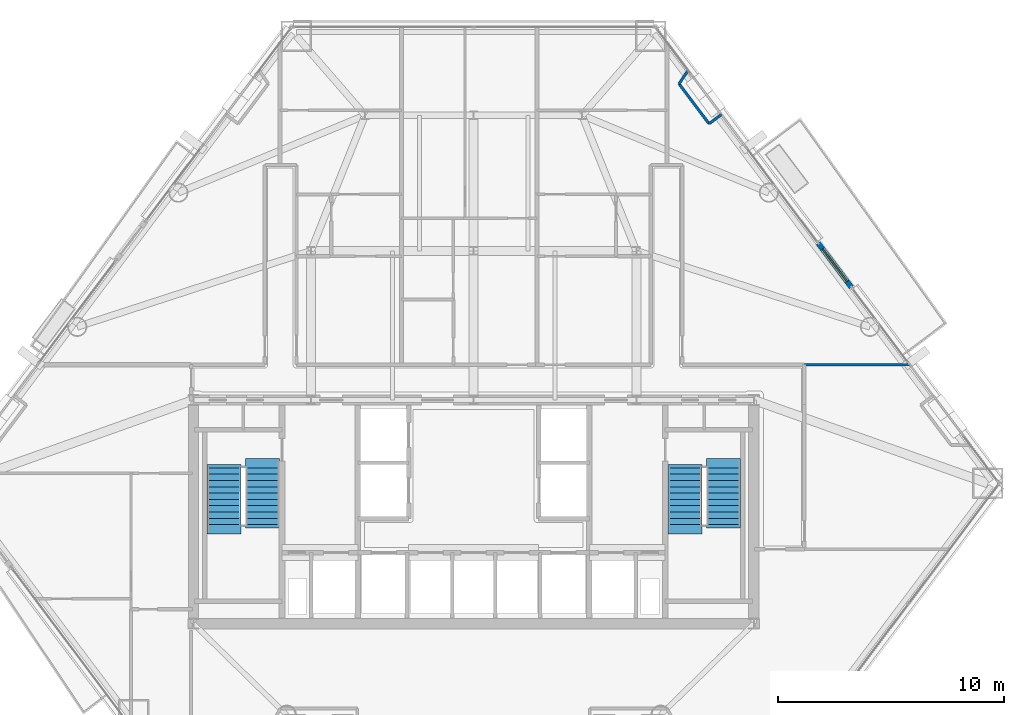
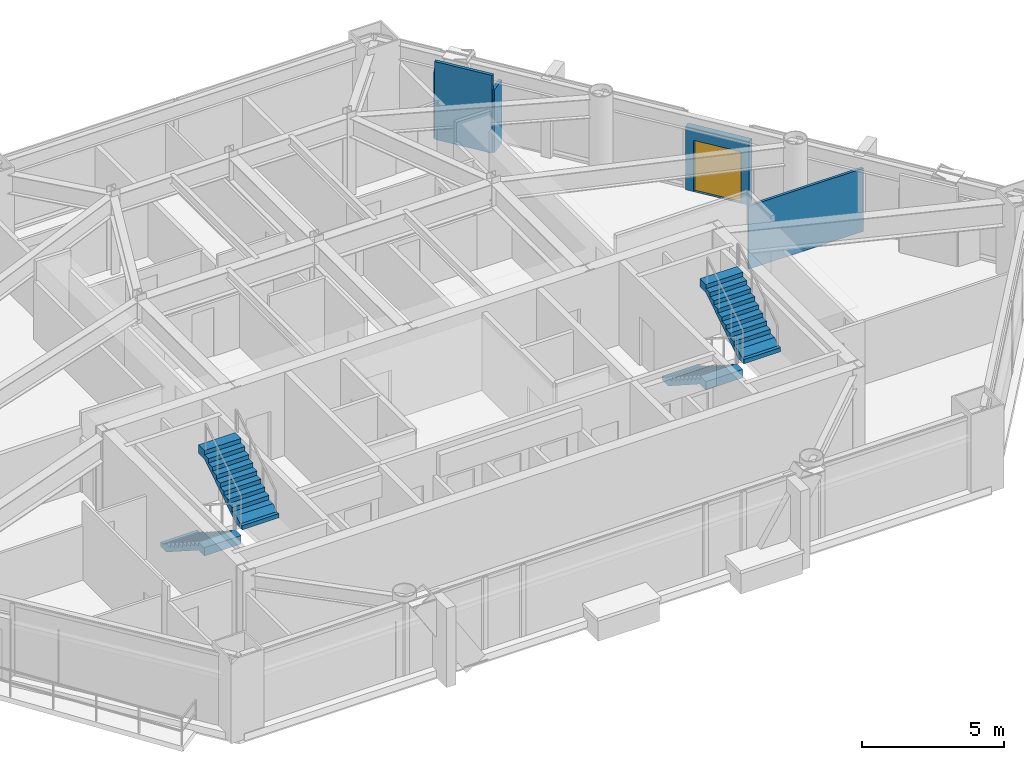
# One storey, part 9 of 11: 5 walls, 4 stair flights, 1 door, 1 opening, 2 elements without a shape of their own.
"""IFC4 building model written with IfcOpenShell, lengths in metres."""

from ifc_helpers import new_model, si_unit, direction, frame, frame_2d, origin, place, context, subcontext, project, spatial, polyline, rectangle, outline, extrude, material, layer, layer_set, type_object, element, fill, aggregate, save


model = new_model("IFC4")

# Units and contexts
model_context = context("Model", 3, precision=1e-05, world=origin(), true_north=direction((0.0, 1.0)))
body_context = subcontext(model_context, "Body", "Model", "MODEL_VIEW")
ifc_project = project(units=[si_unit("LENGTHUNIT", "METRE"), si_unit("AREAUNIT", "SQUARE_METRE"), si_unit("VOLUMEUNIT", "CUBIC_METRE"), si_unit("PLANEANGLEUNIT", "RADIAN"), si_unit("MASSUNIT", "GRAM", prefix="KILO")], contexts=[model_context])

# Site, building, storey
site_placement = place(None, origin())
site = spatial("IfcSite", under=ifc_project, at=site_placement, CompositionType="ELEMENT")
building_placement = place(site_placement, origin())
building = spatial("IfcBuilding", under=site, at=building_placement, Name="Talgorran Terracotta Tower", CompositionType="ELEMENT")
storey_placement = place(building_placement, frame((0.0, 0.0, 45.89990234375)))
storey = spatial("IfcBuildingStorey", under=building, at=storey_placement, Name="L11", CompositionType="ELEMENT", Elevation=45.89990234375)

# Wall, opening, door
ifc_material_1 = material(Name="Concrete C40/50", Category="concrete")
ifc_layer_1 = layer(ifc_material_1, 0.239990234375, Name="WT_BALCONY_SPAND")
ifc_layer_set_1 = layer_set([ifc_layer_1], Name="Concrete C40/50")
wall_type_1 = type_object("IfcWallType", Name="WT_BALCONY_SPAND", PredefinedType="STANDARD", material=ifc_layer_set_1)
wall_1_placement = place(storey_placement, frame((16.72021484375, 0.7900390625, -0.014892578125), z_axis=(0.0, 0.0, 1.0), x_axis=(-0.601647678338, 0.798761585926, 0.0)))
wall_1 = element("IfcWall", 1, at=wall_1_placement, inside=storey, type_object=wall_type_1, Name="WL-L11-BALP-BAL-NE", PredefinedType="STANDARD", context=body_context, shape_type="SweptSolid", body=[
    extrude(rectangle(XDim=2.43994140625, YDim=0.239990234375, at=frame_2d((1.219970703125, 0.0))), origin(), (0.0, 0.0, 1.0), 2.728271484375),
])
opening_placement = place(wall_1_placement, frame((0.320068359375, 0.0, 0.014892578125)))
opening = element("IfcOpeningElement", 2, at=opening_placement, cuts=wall_1, Name="Opening D-BAL-L11-1", PredefinedType="OPENING", context=body_context, shape_type="SweptSolid", body=[
    extrude(rectangle(XDim=1.806048828125, YDim=2.203951171875, at=frame_2d((0.89990234375, 1.10205078125))), frame((0.0, 0.1298828125, 0.0), z_axis=(0.0, -1.0, 0.0), x_axis=(1.0, 0.0, 0.0)), (0.0, 0.0, 1.0), 0.260009765625),
])
ifc_material_2 = material(Name="Thermally Broken Aluminium", Category="aluminium")
door_type = type_object("IfcDoorType", Name="DT_BALC_1800", OperationType="SLIDING_TO_LEFT", PredefinedType="DOOR", material=ifc_material_2)
door_placement = place(opening_placement, origin())
door = element("IfcDoor", 3, at=door_placement, inside=storey, type_object=door_type, Name="DR-L11-BAL-BAL-NE", OperationType="SLIDING_TO_LEFT", OverallHeight=2.199951171875, OverallWidth=1.800048828125, PredefinedType="DOOR", context=body_context, shape_type="SweptSolid", body=[
    extrude(rectangle(XDim=1.800048828125, YDim=2.199951171875, at=frame_2d((0.89990234375, 1.10009765625))), frame((0.0, 0.02490234375, 0.0), z_axis=(0.0, -1.0, 0.0), x_axis=(1.0, 0.0, 0.0)), (0.0, 0.0, 1.0), 0.050048828125),
])
fill(opening, door)

# Walls
ifc_material_3 = material(Name="Lightweight Steel Stud Partition", Category="steel")
ifc_layer_2 = layer(ifc_material_3, 0.10498046875, Name="WT_PART_110")
ifc_layer_set_2 = layer_set([ifc_layer_2], Name="Lightweight Steel Stud Partition")
wall_type_2 = type_object("IfcWallType", Name="WT_PART_110", PredefinedType="PARTITIONING", material=ifc_layer_set_2)
wall_2_placement = place(storey_placement, frame((14.639892578125, -2.639892578125, 0.0), z_axis=(0.0, 0.0, 1.0), x_axis=(1.0, 0.0, 0.0)))
element("IfcWall", 4, at=wall_2_placement, inside=storey, type_object=wall_type_2, Name="WL-L11-W-L11-R32", PredefinedType="PARTITIONING", context=body_context, shape_type="SweptSolid", body=[
    extrude(rectangle(XDim=4.663818359375, YDim=0.10498046875, at=frame_2d((2.33203125, 0.0))), origin(), (0.0, 0.0, 1.0), 2.71337890625),
])
ifc_material_4 = material(Name="Insulated Steel Stud Plasterboard", Category="steel")
ifc_layer_3 = layer(ifc_material_4, 0.1201171875, Name="WT_PART_120")
ifc_layer_set_3 = layer_set([ifc_layer_3], Name="Insulated Steel Stud Plasterboard")
wall_type_3 = type_object("IfcWallType", Name="WT_PART_120", PredefinedType="PARTITIONING", material=ifc_layer_set_3)
wall_3_placement = place(storey_placement, frame((10.4208984375, 8.023193359375, 0.0), z_axis=(0.0, 0.0, 1.0), x_axis=(-0.601604540601, 0.798794076548, 0.0)))
element("IfcWall", 5, at=wall_3_placement, inside=storey, type_object=wall_type_3, Name="WL-L11-BW-L11-18", PredefinedType="PARTITIONING", context=body_context, shape_type="SweptSolid", body=[
    extrude(rectangle(XDim=2.213623046875, YDim=0.1201171875, at=frame_2d((1.10693359375, 0.0))), origin(), (0.0, 0.0, 1.0), 3.35009765625),
])
wall_4_placement = place(storey_placement, frame((9.089111328125, 9.79150390625, 0.0), z_axis=(0.0, 0.0, 1.0), x_axis=(0.559064577703, 0.82912411493, 0.0)))
element("IfcWall", 6, at=wall_4_placement, inside=storey, type_object=wall_type_3, Name="WL-L11-BW-L11-19", PredefinedType="PARTITIONING", context=body_context, shape_type="SweptSolid", body=[
    extrude(rectangle(XDim=0.708740234375, YDim=0.1201171875, at=frame_2d((0.3544921875, 0.0))), origin(), (0.0, 0.0, 1.0), 2.71337890625),
])
wall_5_placement = place(storey_placement, frame((10.956298828125, 8.42626953125, 0.0), z_axis=(0.0, 0.0, 1.0), x_axis=(-0.798905778506, -0.601456197133, 0.0)))
element("IfcWall", 7, at=wall_5_placement, inside=storey, type_object=wall_type_3, Name="WL-L11-BW-L11-17", PredefinedType="PARTITIONING", context=body_context, shape_type="SweptSolid", body=[
    extrude(rectangle(XDim=0.670166015625, YDim=0.1201171875, at=frame_2d((0.3349609375, 0.0))), origin(), (0.0, 0.0, 1.0), 2.71337890625),
])

# Stair, stair flights
stair_type = type_object("IfcStairType", Name="ST_FIRE_SCISSOR", PredefinedType="HALF_TURN_STAIR", material=ifc_material_1)
stair_1_placement = place(storey_placement, origin())
stair_1 = element("IfcStair", 8, at=stair_1_placement, inside=storey, type_object=stair_type, Name="L11 West Protected Fire Stair ST-01", PredefinedType="HALF_TURN_STAIR")
ifc_layer_4 = layer(ifc_material_1, 0.179931640625, Name="STF_RC_1500")
ifc_layer_set_4 = layer_set([ifc_layer_4], Name="Concrete C40/50")
stair_flight_type = type_object("IfcStairFlightType", Name="STF_RC_1500", PredefinedType="STRAIGHT", material=ifc_layer_set_4)
stair_flight_1_placement = place(storey_placement, frame((-11.050048828125, -7.199951171875, 0.0), z_axis=(0.0, 0.0, 1.0), x_axis=(0.0, -1.0, 0.0)))
stair_flight_1 = element("IfcStairFlight", 9, at=stair_flight_1_placement, type_object=stair_flight_type, Name="ST-01 flight 1", NumberOfRisers=10, NumberOfTreads=9, PredefinedType="STRAIGHT", RiserHeight=0.18, TreadLength=0.28, context=body_context, shape_type="SweptSolid", body=[
    extrude(outline(polyline([(-0.139892578125, 0.0), (-0.139892578125, 0.179931640625), (0.0, 0.179931640625), (0.280029296875, 0.360107421875), (0.56005859375, 0.360107421875), (0.56005859375, 0.5400390625), (0.840087890625, 0.5400390625), (0.840087890625, 0.719970703125), (1.1201171875, 0.719970703125), (1.1201171875, 0.89990234375), (1.39990234375, 0.89990234375), (1.39990234375, 1.080078125), (1.679931640625, 1.080078125), (1.679931640625, 1.260009765625), (1.9599609375, 1.260009765625), (1.9599609375, 1.43994140625), (2.239990234375, 1.43994140625), (2.239990234375, 1.6201171875), (2.52001953125, 1.6201171875), (2.52001953125, 1.800048828125), (2.93994140625, 1.800048828125), (2.93994140625, 1.44189453125), (2.52001953125, 1.44189453125), (0.277099609375, 0.0), (-0.139892578125, 0.0)])), frame((0.0, 0.75, 0.0), z_axis=(0.0, -1.0, 0.0), x_axis=(1.0, 0.0, 0.0)), (0.0, 0.0, 1.0), 1.5),
])
stair_flight_2_placement = place(storey_placement, frame((-9.35009765625, -9.719970703125, 1.800048828125), z_axis=(0.0, 0.0, 1.0), x_axis=(0.0, 1.0, 0.0)))
stair_flight_2 = element("IfcStairFlight", 10, at=stair_flight_2_placement, type_object=stair_flight_type, Name="ST-01 flight 2", NumberOfRisers=10, NumberOfTreads=9, PredefinedType="STRAIGHT", RiserHeight=0.18, TreadLength=0.28, context=body_context, shape_type="SweptSolid", body=[
    extrude(outline(polyline([(-0.139892578125, 0.0), (-0.139892578125, 0.179931640625), (0.0, 0.179931640625), (0.280029296875, 0.360107421875), (0.56005859375, 0.360107421875), (0.56005859375, 0.5400390625), (0.840087890625, 0.5400390625), (0.840087890625, 0.719970703125), (1.1201171875, 0.719970703125), (1.1201171875, 0.89990234375), (1.39990234375, 0.89990234375), (1.39990234375, 1.080078125), (1.679931640625, 1.080078125), (1.679931640625, 1.260009765625), (1.9599609375, 1.260009765625), (1.9599609375, 1.43994140625), (2.239990234375, 1.43994140625), (2.239990234375, 1.6201171875), (2.52001953125, 1.6201171875), (2.52001953125, 1.800048828125), (2.93994140625, 1.800048828125), (2.93994140625, 1.44189453125), (2.52001953125, 1.44189453125), (0.277099609375, 0.0), (-0.139892578125, 0.0)])), frame((0.0, 0.75, 0.0), z_axis=(0.0, -1.0, 0.0), x_axis=(1.0, 0.0, 0.0)), (0.0, 0.0, 1.0), 1.5),
])
aggregate(stair_1, [stair_flight_1, stair_flight_2])

stair_2_placement = place(storey_placement, origin())
stair_2 = element("IfcStair", 11, at=stair_2_placement, inside=storey, type_object=stair_type, Name="L11 East Protected Fire Stair ST-02", PredefinedType="HALF_TURN_STAIR")
stair_flight_3_placement = place(storey_placement, frame((9.35009765625, -7.199951171875, 0.0), z_axis=(0.0, 0.0, 1.0), x_axis=(0.0, -1.0, 0.0)))
stair_flight_3 = element("IfcStairFlight", 12, at=stair_flight_3_placement, type_object=stair_flight_type, Name="ST-02 flight 1", NumberOfRisers=10, NumberOfTreads=9, PredefinedType="STRAIGHT", RiserHeight=0.18, TreadLength=0.28, context=body_context, shape_type="SweptSolid", body=[
    extrude(outline(polyline([(-0.139892578125, 0.0), (-0.139892578125, 0.179931640625), (0.0, 0.179931640625), (0.280029296875, 0.360107421875), (0.56005859375, 0.360107421875), (0.56005859375, 0.5400390625), (0.840087890625, 0.5400390625), (0.840087890625, 0.719970703125), (1.1201171875, 0.719970703125), (1.1201171875, 0.89990234375), (1.39990234375, 0.89990234375), (1.39990234375, 1.080078125), (1.679931640625, 1.080078125), (1.679931640625, 1.260009765625), (1.9599609375, 1.260009765625), (1.9599609375, 1.43994140625), (2.239990234375, 1.43994140625), (2.239990234375, 1.6201171875), (2.52001953125, 1.6201171875), (2.52001953125, 1.800048828125), (2.93994140625, 1.800048828125), (2.93994140625, 1.44189453125), (2.52001953125, 1.44189453125), (0.277099609375, 0.0), (-0.139892578125, 0.0)])), frame((0.0, 0.75, 0.0), z_axis=(0.0, -1.0, 0.0), x_axis=(1.0, 0.0, 0.0)), (0.0, 0.0, 1.0), 1.5),
])
stair_flight_4_placement = place(storey_placement, frame((11.050048828125, -9.719970703125, 1.800048828125), z_axis=(0.0, 0.0, 1.0), x_axis=(0.0, 1.0, 0.0)))
stair_flight_4 = element("IfcStairFlight", 13, at=stair_flight_4_placement, type_object=stair_flight_type, Name="ST-02 flight 2", NumberOfRisers=10, NumberOfTreads=9, PredefinedType="STRAIGHT", RiserHeight=0.18, TreadLength=0.28, context=body_context, shape_type="SweptSolid", body=[
    extrude(outline(polyline([(-0.139892578125, 0.0), (-0.139892578125, 0.179931640625), (0.0, 0.179931640625), (0.280029296875, 0.360107421875), (0.56005859375, 0.360107421875), (0.56005859375, 0.5400390625), (0.840087890625, 0.5400390625), (0.840087890625, 0.719970703125), (1.1201171875, 0.719970703125), (1.1201171875, 0.89990234375), (1.39990234375, 0.89990234375), (1.39990234375, 1.080078125), (1.679931640625, 1.080078125), (1.679931640625, 1.260009765625), (1.9599609375, 1.260009765625), (1.9599609375, 1.43994140625), (2.239990234375, 1.43994140625), (2.239990234375, 1.6201171875), (2.52001953125, 1.6201171875), (2.52001953125, 1.800048828125), (2.93994140625, 1.800048828125), (2.93994140625, 1.44189453125), (2.52001953125, 1.44189453125), (0.277099609375, 0.0), (-0.139892578125, 0.0)])), frame((0.0, 0.75, 0.0), z_axis=(0.0, -1.0, 0.0), x_axis=(1.0, 0.0, 0.0)), (0.0, 0.0, 1.0), 1.5),
])
aggregate(stair_2, [stair_flight_3, stair_flight_4])

save(model, "model.ifc")
